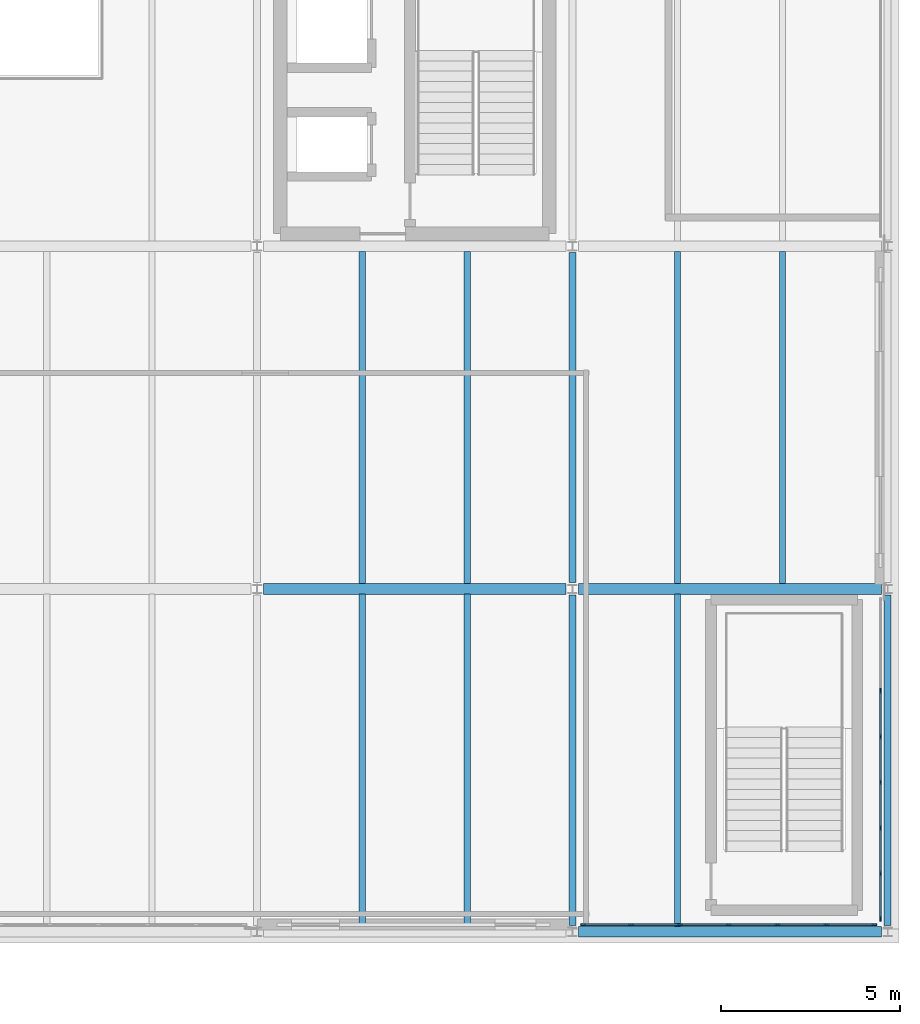
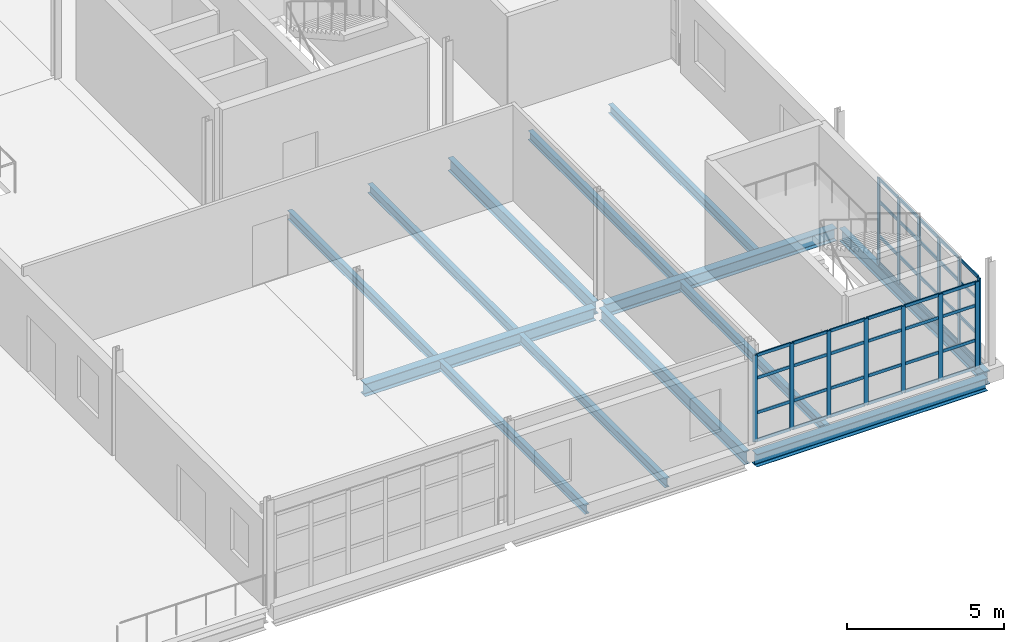
# One storey, part 31 of 58: 57 members, 13 beams, 2 elements without a shape of their own.
"""IFC4 building model written with IfcOpenShell, lengths in metres."""

from ifc_helpers import new_model, si_unit, direction, frame, origin, origin_2d, place, context, subcontext, project, spatial, rectangle, i_section, extrude, material, layer, layer_set, material_profile, profile_set, type_object, element, aggregate, save


model = new_model("IFC4")

# Units and contexts
model_context = context("Model", 3, precision=1e-05, world=origin(), true_north=direction((0.0, 1.0)))
body_context = subcontext(model_context, "Body", "Model", "MODEL_VIEW")
ifc_project = project(units=[si_unit("LENGTHUNIT", "METRE"), si_unit("AREAUNIT", "SQUARE_METRE"), si_unit("VOLUMEUNIT", "CUBIC_METRE"), si_unit("PLANEANGLEUNIT", "RADIAN"), si_unit("MASSUNIT", "GRAM", prefix="KILO")], contexts=[model_context])

# Site, building, storey
site_placement = place(None, origin())
site = spatial("IfcSite", under=ifc_project, at=site_placement, CompositionType="ELEMENT")
building_placement = place(site_placement, origin())
building = spatial("IfcBuilding", under=site, at=building_placement, Name="Yeouljin Market Hall", CompositionType="ELEMENT")
storey_placement = place(building_placement, frame((0.0, 0.0, 10.800048828125)))
storey = spatial("IfcBuildingStorey", under=building, at=storey_placement, Name="L02", CompositionType="ELEMENT", Elevation=10.800048828125)

# Beams
ifc_material_1 = material(Name="Steel SM355", Category="steel")
ifc_material_profile_1 = material_profile(ifc_material_1, i_section(OverallWidth=0.199951171875, OverallDepth=0.5, WebThickness=0.010009765625, FlangeThickness=0.01611328125, FilletRadius=0.02001953125, at=origin_2d()), Name="H-500x200x10x16")
ifc_profile_set_1 = profile_set([ifc_material_profile_1], Name="Steel SM355")
beam_type_1 = type_object("IfcBeamType", Name="Beam_H-500x200x10x16", PredefinedType="BEAM", material=ifc_profile_set_1)
for number, where, z_axis, x_axis, name in (
    (1, (167.570068359375, 0.175048828125, -0.51513671875), (0.0, 1.0, 0.0), (-1.0, 0.0, 0.0), "Primary beam BM-L02-Y147"),
    (2, (167.570068359375, 9.77490234375, -0.51513671875), (0.0, 1.0, 0.0), (-1.0, 0.0, 0.0), "Primary beam BM-L02-Y148"),
    (3, (176.39990234375, 0.175048828125, -0.51513671875), (0.0, 1.0, 0.0), (-1.0, 0.0, 0.0), "Primary beam BM-L02-Y151"),
):
    element("IfcBeam", number, at=place(storey_placement, frame(where, z_axis=z_axis, x_axis=x_axis)), inside=storey, type_object=beam_type_1, Name=name, PredefinedType="BEAM", context=body_context, shape_type="SweptSolid", body=[
        extrude(i_section(OverallWidth=0.199951171875, OverallDepth=0.5, WebThickness=0.010009765625, FlangeThickness=0.01611328125, FilletRadius=0.02001953125, at=origin_2d()), origin(), (0.0, 0.0, 1.0), 9.25),
    ])

# Curtain wall, members
ifc_material_2 = material(Name="Thermally Broken Aluminium", Category="aluminium")
ifc_layer = layer(ifc_material_2, 0.14990234375)
ifc_layer_set = layer_set([ifc_layer], Name="Thermally Broken Aluminium")
curtain_wall_type = type_object("IfcCurtainWallType", Name="CW_AcademyRibbon_System", PredefinedType="USERDEFINED", material=ifc_layer_set)
curtain_wall_1_placement = place(storey_placement, origin())
curtain_wall_1 = element("IfcCurtainWall", 4, at=curtain_wall_1_placement, inside=storey, type_object=curtain_wall_type, Name="Curtain wall CW-L02-W08", ObjectType="CURTAIN WALL", PredefinedType="USERDEFINED")
ifc_material_3 = material(Name="Thermally Broken Aluminium", Category="aluminium")
ifc_material_profile_2 = material_profile(ifc_material_3, rectangle(XDim=0.048095703125, YDim=0.14990234375, at=origin_2d()), Name="CW-MULL-48x150")
ifc_profile_set_2 = profile_set([ifc_material_profile_2], Name="Thermally Broken Aluminium")
member_type_1 = type_object("IfcMemberType", Name="CWMullion_48x150", PredefinedType="MULLION", material=ifc_profile_set_2)
member_1_placement = place(storey_placement, frame((176.02587890625, 0.199951171875, 0.0), z_axis=(0.0, 0.0, 1.0), x_axis=(0.0, -1.0, 0.0)))
member_1 = element("IfcMember", 5, at=member_1_placement, type_object=member_type_1, Name="CW-05 mullion 1", PredefinedType="MULLION", context=body_context, shape_type="SweptSolid", body=[
    extrude(rectangle(XDim=0.048095703125, YDim=0.14990234375, at=origin_2d()), origin(), (0.0, 0.0, 1.0), 3.349853515625),
])
member_2_placement = place(storey_placement, frame((174.683349609375, 0.199951171875, 0.0), z_axis=(0.0, 0.0, 1.0), x_axis=(0.0, -1.0, 0.0)))
member_2 = element("IfcMember", 6, at=member_2_placement, type_object=member_type_1, Name="CW-05 mullion 2", PredefinedType="MULLION", context=body_context, shape_type="SweptSolid", body=[
    extrude(rectangle(XDim=0.048095703125, YDim=0.14990234375, at=origin_2d()), origin(), (0.0, 0.0, 1.0), 3.349853515625),
])
member_3_placement = place(storey_placement, frame((173.316650390625, 0.199951171875, 0.0), z_axis=(0.0, 0.0, 1.0), x_axis=(0.0, -1.0, 0.0)))
member_3 = element("IfcMember", 7, at=member_3_placement, type_object=member_type_1, Name="CW-05 mullion 3", PredefinedType="MULLION", context=body_context, shape_type="SweptSolid", body=[
    extrude(rectangle(XDim=0.048095703125, YDim=0.14990234375, at=origin_2d()), origin(), (0.0, 0.0, 1.0), 3.349853515625),
])
member_4_placement = place(storey_placement, frame((171.949951171875, 0.199951171875, 0.0), z_axis=(0.0, 0.0, 1.0), x_axis=(0.0, -1.0, 0.0)))
member_4 = element("IfcMember", 8, at=member_4_placement, type_object=member_type_1, Name="CW-05 mullion 4", PredefinedType="MULLION", context=body_context, shape_type="SweptSolid", body=[
    extrude(rectangle(XDim=0.048095703125, YDim=0.14990234375, at=origin_2d()), origin(), (0.0, 0.0, 1.0), 3.349853515625),
])
member_5_placement = place(storey_placement, frame((170.583251953125, 0.199951171875, 0.0), z_axis=(0.0, 0.0, 1.0), x_axis=(0.0, -1.0, 0.0)))
member_5 = element("IfcMember", 9, at=member_5_placement, type_object=member_type_1, Name="CW-05 mullion 5", PredefinedType="MULLION", context=body_context, shape_type="SweptSolid", body=[
    extrude(rectangle(XDim=0.048095703125, YDim=0.14990234375, at=origin_2d()), origin(), (0.0, 0.0, 1.0), 3.349853515625),
])
member_6_placement = place(storey_placement, frame((169.216552734375, 0.199951171875, 0.0), z_axis=(0.0, 0.0, 1.0), x_axis=(0.0, -1.0, 0.0)))
member_6 = element("IfcMember", 10, at=member_6_placement, type_object=member_type_1, Name="CW-05 mullion 6", PredefinedType="MULLION", context=body_context, shape_type="SweptSolid", body=[
    extrude(rectangle(XDim=0.048095703125, YDim=0.14990234375, at=origin_2d()), origin(), (0.0, 0.0, 1.0), 3.349853515625),
])
member_7_placement = place(storey_placement, frame((167.8740234375, 0.199951171875, 0.0), z_axis=(0.0, 0.0, 1.0), x_axis=(0.0, -1.0, 0.0)))
member_7 = element("IfcMember", 11, at=member_7_placement, type_object=member_type_1, Name="CW-05 mullion 7", PredefinedType="MULLION", context=body_context, shape_type="SweptSolid", body=[
    extrude(rectangle(XDim=0.048095703125, YDim=0.14990234375, at=origin_2d()), origin(), (0.0, 0.0, 1.0), 3.349853515625),
])

curtain_wall_2_placement = place(storey_placement, origin())
curtain_wall_2 = element("IfcCurtainWall", 12, at=curtain_wall_2_placement, inside=storey, type_object=curtain_wall_type, Name="Curtain wall CW-L02-W14", ObjectType="CURTAIN WALL", PredefinedType="USERDEFINED")
member_8_placement = place(storey_placement, frame((176.199951171875, 6.742919921875, 0.0), z_axis=(0.0, 0.0, 1.0), x_axis=(1.0, 0.0, 0.0)))
member_8 = element("IfcMember", 13, at=member_8_placement, type_object=member_type_1, Name="CW-05 mullion 3", PredefinedType="MULLION", context=body_context, shape_type="SweptSolid", body=[
    extrude(rectangle(XDim=0.048095703125, YDim=0.14990234375, at=origin_2d()), origin(), (0.0, 0.0, 1.0), 3.349853515625),
])
member_9_placement = place(storey_placement, frame((176.199951171875, 5.46435546875, 0.0), z_axis=(0.0, 0.0, 1.0), x_axis=(1.0, 0.0, 0.0)))
member_9 = element("IfcMember", 14, at=member_9_placement, type_object=member_type_1, Name="CW-05 mullion 4", PredefinedType="MULLION", context=body_context, shape_type="SweptSolid", body=[
    extrude(rectangle(XDim=0.048095703125, YDim=0.14990234375, at=origin_2d()), origin(), (0.0, 0.0, 1.0), 3.349853515625),
])
member_10_placement = place(storey_placement, frame((176.199951171875, 4.185791015625, 0.0), z_axis=(0.0, 0.0, 1.0), x_axis=(1.0, 0.0, 0.0)))
member_10 = element("IfcMember", 15, at=member_10_placement, type_object=member_type_1, Name="CW-05 mullion 5", PredefinedType="MULLION", context=body_context, shape_type="SweptSolid", body=[
    extrude(rectangle(XDim=0.048095703125, YDim=0.14990234375, at=origin_2d()), origin(), (0.0, 0.0, 1.0), 3.349853515625),
])
member_11_placement = place(storey_placement, frame((176.199951171875, 2.9072265625, 0.0), z_axis=(0.0, 0.0, 1.0), x_axis=(1.0, 0.0, 0.0)))
member_11 = element("IfcMember", 16, at=member_11_placement, type_object=member_type_1, Name="CW-05 mullion 6", PredefinedType="MULLION", context=body_context, shape_type="SweptSolid", body=[
    extrude(rectangle(XDim=0.048095703125, YDim=0.14990234375, at=origin_2d()), origin(), (0.0, 0.0, 1.0), 3.349853515625),
])
member_12_placement = place(storey_placement, frame((176.199951171875, 1.628662109375, 0.0), z_axis=(0.0, 0.0, 1.0), x_axis=(1.0, 0.0, 0.0)))
member_12 = element("IfcMember", 17, at=member_12_placement, type_object=member_type_1, Name="CW-05 mullion 7", PredefinedType="MULLION", context=body_context, shape_type="SweptSolid", body=[
    extrude(rectangle(XDim=0.048095703125, YDim=0.14990234375, at=origin_2d()), origin(), (0.0, 0.0, 1.0), 3.349853515625),
])
member_13_placement = place(storey_placement, frame((176.199951171875, 0.3740234375, 0.0), z_axis=(0.0, 0.0, 1.0), x_axis=(1.0, 0.0, 0.0)))
member_13 = element("IfcMember", 18, at=member_13_placement, type_object=member_type_1, Name="CW-05 mullion 8", PredefinedType="MULLION", context=body_context, shape_type="SweptSolid", body=[
    extrude(rectangle(XDim=0.048095703125, YDim=0.14990234375, at=origin_2d()), origin(), (0.0, 0.0, 1.0), 3.349853515625),
])

# Member
ifc_material_4 = material(Name="Thermally Broken Aluminium", Category="aluminium")
ifc_material_profile_3 = material_profile(ifc_material_4, rectangle(XDim=0.048095703125, YDim=0.1201171875, at=origin_2d()), Name="CW-TRAN-48x120")
ifc_profile_set_3 = profile_set([ifc_material_profile_3], Name="Thermally Broken Aluminium")
member_type_2 = type_object("IfcMemberType", Name="CWTransom_48x120", PredefinedType="USERDEFINED", material=ifc_profile_set_3)
member_14_placement = place(storey_placement, frame((176.001953125, 0.199951171875, 0.02392578125), z_axis=(-1.0, 0.0, 0.0), x_axis=(0.0, -1.0, 0.0)))
member_14 = element("IfcMember", 19, at=member_14_placement, type_object=member_type_2, Name="CW-05 transom 1.1", ObjectType="TRANSOM", PredefinedType="USERDEFINED", context=body_context, shape_type="SweptSolid", body=[
    extrude(rectangle(XDim=0.048095703125, YDim=0.1201171875, at=origin_2d()), origin(), (0.0, 0.0, 1.0), 1.294677734375),
])

member_15_placement = place(storey_placement, frame((176.001953125, 0.199951171875, 1.099853515625), z_axis=(-1.0, 0.0, 0.0), x_axis=(0.0, -1.0, 0.0)))
member_15 = element("IfcMember", 20, at=member_15_placement, type_object=member_type_2, Name="CW-05 transom 1.2", ObjectType="TRANSOM", PredefinedType="USERDEFINED", context=body_context, shape_type="SweptSolid", body=[
    extrude(rectangle(XDim=0.048095703125, YDim=0.1201171875, at=origin_2d()), origin(), (0.0, 0.0, 1.0), 1.294677734375),
])

member_16_placement = place(storey_placement, frame((176.001953125, 0.199951171875, 2.449951171875), z_axis=(-1.0, 0.0, 0.0), x_axis=(0.0, -1.0, 0.0)))
member_16 = element("IfcMember", 21, at=member_16_placement, type_object=member_type_2, Name="CW-05 transom 1.3", ObjectType="TRANSOM", PredefinedType="USERDEFINED", context=body_context, shape_type="SweptSolid", body=[
    extrude(rectangle(XDim=0.048095703125, YDim=0.1201171875, at=origin_2d()), origin(), (0.0, 0.0, 1.0), 1.294677734375),
])

member_17_placement = place(storey_placement, frame((176.001953125, 0.199951171875, 3.325927734375), z_axis=(-1.0, 0.0, 0.0), x_axis=(0.0, -1.0, 0.0)))
member_17 = element("IfcMember", 22, at=member_17_placement, type_object=member_type_2, Name="CW-05 transom 1.4", ObjectType="TRANSOM", PredefinedType="USERDEFINED", context=body_context, shape_type="SweptSolid", body=[
    extrude(rectangle(XDim=0.048095703125, YDim=0.1201171875, at=origin_2d()), origin(), (0.0, 0.0, 1.0), 1.294677734375),
])

member_18_placement = place(storey_placement, frame((174.659423828125, 0.199951171875, 0.02392578125), z_axis=(-1.0, 0.0, 0.0), x_axis=(0.0, -1.0, 0.0)))
member_18 = element("IfcMember", 23, at=member_18_placement, type_object=member_type_2, Name="CW-05 transom 2.1", ObjectType="TRANSOM", PredefinedType="USERDEFINED", context=body_context, shape_type="SweptSolid", body=[
    extrude(rectangle(XDim=0.048095703125, YDim=0.1201171875, at=origin_2d()), origin(), (0.0, 0.0, 1.0), 1.31884765625),
])

member_19_placement = place(storey_placement, frame((174.659423828125, 0.199951171875, 1.099853515625), z_axis=(-1.0, 0.0, 0.0), x_axis=(0.0, -1.0, 0.0)))
member_19 = element("IfcMember", 24, at=member_19_placement, type_object=member_type_2, Name="CW-05 transom 2.2", ObjectType="TRANSOM", PredefinedType="USERDEFINED", context=body_context, shape_type="SweptSolid", body=[
    extrude(rectangle(XDim=0.048095703125, YDim=0.1201171875, at=origin_2d()), origin(), (0.0, 0.0, 1.0), 1.31884765625),
])

member_20_placement = place(storey_placement, frame((174.659423828125, 0.199951171875, 2.449951171875), z_axis=(-1.0, 0.0, 0.0), x_axis=(0.0, -1.0, 0.0)))
member_20 = element("IfcMember", 25, at=member_20_placement, type_object=member_type_2, Name="CW-05 transom 2.3", ObjectType="TRANSOM", PredefinedType="USERDEFINED", context=body_context, shape_type="SweptSolid", body=[
    extrude(rectangle(XDim=0.048095703125, YDim=0.1201171875, at=origin_2d()), origin(), (0.0, 0.0, 1.0), 1.31884765625),
])

member_21_placement = place(storey_placement, frame((174.659423828125, 0.199951171875, 3.325927734375), z_axis=(-1.0, 0.0, 0.0), x_axis=(0.0, -1.0, 0.0)))
member_21 = element("IfcMember", 26, at=member_21_placement, type_object=member_type_2, Name="CW-05 transom 2.4", ObjectType="TRANSOM", PredefinedType="USERDEFINED", context=body_context, shape_type="SweptSolid", body=[
    extrude(rectangle(XDim=0.048095703125, YDim=0.1201171875, at=origin_2d()), origin(), (0.0, 0.0, 1.0), 1.31884765625),
])

member_22_placement = place(storey_placement, frame((173.292724609375, 0.199951171875, 0.02392578125), z_axis=(-1.0, 0.0, 0.0), x_axis=(0.0, -1.0, 0.0)))
member_22 = element("IfcMember", 27, at=member_22_placement, type_object=member_type_2, Name="CW-05 transom 3.1", ObjectType="TRANSOM", PredefinedType="USERDEFINED", context=body_context, shape_type="SweptSolid", body=[
    extrude(rectangle(XDim=0.048095703125, YDim=0.1201171875, at=origin_2d()), origin(), (0.0, 0.0, 1.0), 1.318603515625),
])

member_23_placement = place(storey_placement, frame((173.292724609375, 0.199951171875, 1.099853515625), z_axis=(-1.0, 0.0, 0.0), x_axis=(0.0, -1.0, 0.0)))
member_23 = element("IfcMember", 28, at=member_23_placement, type_object=member_type_2, Name="CW-05 transom 3.2", ObjectType="TRANSOM", PredefinedType="USERDEFINED", context=body_context, shape_type="SweptSolid", body=[
    extrude(rectangle(XDim=0.048095703125, YDim=0.1201171875, at=origin_2d()), origin(), (0.0, 0.0, 1.0), 1.318603515625),
])

member_24_placement = place(storey_placement, frame((173.292724609375, 0.199951171875, 2.449951171875), z_axis=(-1.0, 0.0, 0.0), x_axis=(0.0, -1.0, 0.0)))
member_24 = element("IfcMember", 29, at=member_24_placement, type_object=member_type_2, Name="CW-05 transom 3.3", ObjectType="TRANSOM", PredefinedType="USERDEFINED", context=body_context, shape_type="SweptSolid", body=[
    extrude(rectangle(XDim=0.048095703125, YDim=0.1201171875, at=origin_2d()), origin(), (0.0, 0.0, 1.0), 1.318603515625),
])

member_25_placement = place(storey_placement, frame((173.292724609375, 0.199951171875, 3.325927734375), z_axis=(-1.0, 0.0, 0.0), x_axis=(0.0, -1.0, 0.0)))
member_25 = element("IfcMember", 30, at=member_25_placement, type_object=member_type_2, Name="CW-05 transom 3.4", ObjectType="TRANSOM", PredefinedType="USERDEFINED", context=body_context, shape_type="SweptSolid", body=[
    extrude(rectangle(XDim=0.048095703125, YDim=0.1201171875, at=origin_2d()), origin(), (0.0, 0.0, 1.0), 1.318603515625),
])

member_26_placement = place(storey_placement, frame((171.926025390625, 0.199951171875, 0.02392578125), z_axis=(-1.0, 0.0, 0.0), x_axis=(0.0, -1.0, 0.0)))
member_26 = element("IfcMember", 31, at=member_26_placement, type_object=member_type_2, Name="CW-05 transom 4.1", ObjectType="TRANSOM", PredefinedType="USERDEFINED", context=body_context, shape_type="SweptSolid", body=[
    extrude(rectangle(XDim=0.048095703125, YDim=0.1201171875, at=origin_2d()), origin(), (0.0, 0.0, 1.0), 1.318603515625),
])

member_27_placement = place(storey_placement, frame((171.926025390625, 0.199951171875, 1.099853515625), z_axis=(-1.0, 0.0, 0.0), x_axis=(0.0, -1.0, 0.0)))
member_27 = element("IfcMember", 32, at=member_27_placement, type_object=member_type_2, Name="CW-05 transom 4.2", ObjectType="TRANSOM", PredefinedType="USERDEFINED", context=body_context, shape_type="SweptSolid", body=[
    extrude(rectangle(XDim=0.048095703125, YDim=0.1201171875, at=origin_2d()), origin(), (0.0, 0.0, 1.0), 1.318603515625),
])

member_28_placement = place(storey_placement, frame((171.926025390625, 0.199951171875, 2.449951171875), z_axis=(-1.0, 0.0, 0.0), x_axis=(0.0, -1.0, 0.0)))
member_28 = element("IfcMember", 33, at=member_28_placement, type_object=member_type_2, Name="CW-05 transom 4.3", ObjectType="TRANSOM", PredefinedType="USERDEFINED", context=body_context, shape_type="SweptSolid", body=[
    extrude(rectangle(XDim=0.048095703125, YDim=0.1201171875, at=origin_2d()), origin(), (0.0, 0.0, 1.0), 1.318603515625),
])

member_29_placement = place(storey_placement, frame((171.926025390625, 0.199951171875, 3.325927734375), z_axis=(-1.0, 0.0, 0.0), x_axis=(0.0, -1.0, 0.0)))
member_29 = element("IfcMember", 34, at=member_29_placement, type_object=member_type_2, Name="CW-05 transom 4.4", ObjectType="TRANSOM", PredefinedType="USERDEFINED", context=body_context, shape_type="SweptSolid", body=[
    extrude(rectangle(XDim=0.048095703125, YDim=0.1201171875, at=origin_2d()), origin(), (0.0, 0.0, 1.0), 1.318603515625),
])

member_30_placement = place(storey_placement, frame((170.559326171875, 0.199951171875, 0.02392578125), z_axis=(-1.0, 0.0, 0.0), x_axis=(0.0, -1.0, 0.0)))
member_30 = element("IfcMember", 35, at=member_30_placement, type_object=member_type_2, Name="CW-05 transom 5.1", ObjectType="TRANSOM", PredefinedType="USERDEFINED", context=body_context, shape_type="SweptSolid", body=[
    extrude(rectangle(XDim=0.048095703125, YDim=0.1201171875, at=origin_2d()), origin(), (0.0, 0.0, 1.0), 1.318603515625),
])

member_31_placement = place(storey_placement, frame((170.559326171875, 0.199951171875, 1.099853515625), z_axis=(-1.0, 0.0, 0.0), x_axis=(0.0, -1.0, 0.0)))
member_31 = element("IfcMember", 36, at=member_31_placement, type_object=member_type_2, Name="CW-05 transom 5.2", ObjectType="TRANSOM", PredefinedType="USERDEFINED", context=body_context, shape_type="SweptSolid", body=[
    extrude(rectangle(XDim=0.048095703125, YDim=0.1201171875, at=origin_2d()), origin(), (0.0, 0.0, 1.0), 1.318603515625),
])

member_32_placement = place(storey_placement, frame((170.559326171875, 0.199951171875, 2.449951171875), z_axis=(-1.0, 0.0, 0.0), x_axis=(0.0, -1.0, 0.0)))
member_32 = element("IfcMember", 37, at=member_32_placement, type_object=member_type_2, Name="CW-05 transom 5.3", ObjectType="TRANSOM", PredefinedType="USERDEFINED", context=body_context, shape_type="SweptSolid", body=[
    extrude(rectangle(XDim=0.048095703125, YDim=0.1201171875, at=origin_2d()), origin(), (0.0, 0.0, 1.0), 1.318603515625),
])

member_33_placement = place(storey_placement, frame((170.559326171875, 0.199951171875, 3.325927734375), z_axis=(-1.0, 0.0, 0.0), x_axis=(0.0, -1.0, 0.0)))
member_33 = element("IfcMember", 38, at=member_33_placement, type_object=member_type_2, Name="CW-05 transom 5.4", ObjectType="TRANSOM", PredefinedType="USERDEFINED", context=body_context, shape_type="SweptSolid", body=[
    extrude(rectangle(XDim=0.048095703125, YDim=0.1201171875, at=origin_2d()), origin(), (0.0, 0.0, 1.0), 1.318603515625),
])

member_34_placement = place(storey_placement, frame((169.192626953125, 0.199951171875, 0.02392578125), z_axis=(-1.0, 0.0, 0.0), x_axis=(0.0, -1.0, 0.0)))
member_34 = element("IfcMember", 39, at=member_34_placement, type_object=member_type_2, Name="CW-05 transom 6.1", ObjectType="TRANSOM", PredefinedType="USERDEFINED", context=body_context, shape_type="SweptSolid", body=[
    extrude(rectangle(XDim=0.048095703125, YDim=0.1201171875, at=origin_2d()), origin(), (0.0, 0.0, 1.0), 1.294677734375),
])

member_35_placement = place(storey_placement, frame((169.192626953125, 0.199951171875, 1.099853515625), z_axis=(-1.0, 0.0, 0.0), x_axis=(0.0, -1.0, 0.0)))
member_35 = element("IfcMember", 40, at=member_35_placement, type_object=member_type_2, Name="CW-05 transom 6.2", ObjectType="TRANSOM", PredefinedType="USERDEFINED", context=body_context, shape_type="SweptSolid", body=[
    extrude(rectangle(XDim=0.048095703125, YDim=0.1201171875, at=origin_2d()), origin(), (0.0, 0.0, 1.0), 1.294677734375),
])

member_36_placement = place(storey_placement, frame((169.192626953125, 0.199951171875, 2.449951171875), z_axis=(-1.0, 0.0, 0.0), x_axis=(0.0, -1.0, 0.0)))
member_36 = element("IfcMember", 41, at=member_36_placement, type_object=member_type_2, Name="CW-05 transom 6.3", ObjectType="TRANSOM", PredefinedType="USERDEFINED", context=body_context, shape_type="SweptSolid", body=[
    extrude(rectangle(XDim=0.048095703125, YDim=0.1201171875, at=origin_2d()), origin(), (0.0, 0.0, 1.0), 1.294677734375),
])

member_37_placement = place(storey_placement, frame((169.192626953125, 0.199951171875, 3.325927734375), z_axis=(-1.0, 0.0, 0.0), x_axis=(0.0, -1.0, 0.0)))
member_37 = element("IfcMember", 42, at=member_37_placement, type_object=member_type_2, Name="CW-05 transom 6.4", ObjectType="TRANSOM", PredefinedType="USERDEFINED", context=body_context, shape_type="SweptSolid", body=[
    extrude(rectangle(XDim=0.048095703125, YDim=0.1201171875, at=origin_2d()), origin(), (0.0, 0.0, 1.0), 1.294677734375),
])

aggregate(curtain_wall_1, [member_1, member_2, member_3, member_4, member_5, member_6, member_7, member_14, member_15, member_16, member_17, member_18, member_19, member_20, member_21, member_22, member_23, member_24, member_25, member_26, member_27, member_28, member_29, member_30, member_31, member_32, member_33, member_34, member_35, member_36, member_37])

member_38_placement = place(storey_placement, frame((176.199951171875, 6.71875, 0.02392578125), z_axis=(0.0, -1.0, 0.0), x_axis=(1.0, 0.0, 0.0)))
member_38 = element("IfcMember", 43, at=member_38_placement, type_object=member_type_2, Name="CW-05 transom 3.1", ObjectType="TRANSOM", PredefinedType="USERDEFINED", context=body_context, shape_type="SweptSolid", body=[
    extrude(rectangle(XDim=0.048095703125, YDim=0.1201171875, at=origin_2d()), origin(), (0.0, 0.0, 1.0), 1.23046875),
])

member_39_placement = place(storey_placement, frame((176.199951171875, 6.71875, 1.099853515625), z_axis=(0.0, -1.0, 0.0), x_axis=(1.0, 0.0, 0.0)))
member_39 = element("IfcMember", 44, at=member_39_placement, type_object=member_type_2, Name="CW-05 transom 3.2", ObjectType="TRANSOM", PredefinedType="USERDEFINED", context=body_context, shape_type="SweptSolid", body=[
    extrude(rectangle(XDim=0.048095703125, YDim=0.1201171875, at=origin_2d()), origin(), (0.0, 0.0, 1.0), 1.23046875),
])

member_40_placement = place(storey_placement, frame((176.199951171875, 6.71875, 2.449951171875), z_axis=(0.0, -1.0, 0.0), x_axis=(1.0, 0.0, 0.0)))
member_40 = element("IfcMember", 45, at=member_40_placement, type_object=member_type_2, Name="CW-05 transom 3.3", ObjectType="TRANSOM", PredefinedType="USERDEFINED", context=body_context, shape_type="SweptSolid", body=[
    extrude(rectangle(XDim=0.048095703125, YDim=0.1201171875, at=origin_2d()), origin(), (0.0, 0.0, 1.0), 1.23046875),
])

member_41_placement = place(storey_placement, frame((176.199951171875, 6.71875, 3.325927734375), z_axis=(0.0, -1.0, 0.0), x_axis=(1.0, 0.0, 0.0)))
member_41 = element("IfcMember", 46, at=member_41_placement, type_object=member_type_2, Name="CW-05 transom 3.4", ObjectType="TRANSOM", PredefinedType="USERDEFINED", context=body_context, shape_type="SweptSolid", body=[
    extrude(rectangle(XDim=0.048095703125, YDim=0.1201171875, at=origin_2d()), origin(), (0.0, 0.0, 1.0), 1.23046875),
])

member_42_placement = place(storey_placement, frame((176.199951171875, 5.440185546875, 0.02392578125), z_axis=(0.0, -1.0, 0.0), x_axis=(1.0, 0.0, 0.0)))
member_42 = element("IfcMember", 47, at=member_42_placement, type_object=member_type_2, Name="CW-05 transom 4.1", ObjectType="TRANSOM", PredefinedType="USERDEFINED", context=body_context, shape_type="SweptSolid", body=[
    extrude(rectangle(XDim=0.048095703125, YDim=0.1201171875, at=origin_2d()), origin(), (0.0, 0.0, 1.0), 1.23046875),
])

member_43_placement = place(storey_placement, frame((176.199951171875, 5.440185546875, 1.099853515625), z_axis=(0.0, -1.0, 0.0), x_axis=(1.0, 0.0, 0.0)))
member_43 = element("IfcMember", 48, at=member_43_placement, type_object=member_type_2, Name="CW-05 transom 4.2", ObjectType="TRANSOM", PredefinedType="USERDEFINED", context=body_context, shape_type="SweptSolid", body=[
    extrude(rectangle(XDim=0.048095703125, YDim=0.1201171875, at=origin_2d()), origin(), (0.0, 0.0, 1.0), 1.23046875),
])

member_44_placement = place(storey_placement, frame((176.199951171875, 5.440185546875, 2.449951171875), z_axis=(0.0, -1.0, 0.0), x_axis=(1.0, 0.0, 0.0)))
member_44 = element("IfcMember", 49, at=member_44_placement, type_object=member_type_2, Name="CW-05 transom 4.3", ObjectType="TRANSOM", PredefinedType="USERDEFINED", context=body_context, shape_type="SweptSolid", body=[
    extrude(rectangle(XDim=0.048095703125, YDim=0.1201171875, at=origin_2d()), origin(), (0.0, 0.0, 1.0), 1.23046875),
])

member_45_placement = place(storey_placement, frame((176.199951171875, 5.440185546875, 3.325927734375), z_axis=(0.0, -1.0, 0.0), x_axis=(1.0, 0.0, 0.0)))
member_45 = element("IfcMember", 50, at=member_45_placement, type_object=member_type_2, Name="CW-05 transom 4.4", ObjectType="TRANSOM", PredefinedType="USERDEFINED", context=body_context, shape_type="SweptSolid", body=[
    extrude(rectangle(XDim=0.048095703125, YDim=0.1201171875, at=origin_2d()), origin(), (0.0, 0.0, 1.0), 1.23046875),
])

member_46_placement = place(storey_placement, frame((176.199951171875, 4.16162109375, 0.02392578125), z_axis=(0.0, -1.0, 0.0), x_axis=(1.0, 0.0, 0.0)))
member_46 = element("IfcMember", 51, at=member_46_placement, type_object=member_type_2, Name="CW-05 transom 5.1", ObjectType="TRANSOM", PredefinedType="USERDEFINED", context=body_context, shape_type="SweptSolid", body=[
    extrude(rectangle(XDim=0.048095703125, YDim=0.1201171875, at=origin_2d()), origin(), (0.0, 0.0, 1.0), 1.23046875),
])

member_47_placement = place(storey_placement, frame((176.199951171875, 4.16162109375, 1.099853515625), z_axis=(0.0, -1.0, 0.0), x_axis=(1.0, 0.0, 0.0)))
member_47 = element("IfcMember", 52, at=member_47_placement, type_object=member_type_2, Name="CW-05 transom 5.2", ObjectType="TRANSOM", PredefinedType="USERDEFINED", context=body_context, shape_type="SweptSolid", body=[
    extrude(rectangle(XDim=0.048095703125, YDim=0.1201171875, at=origin_2d()), origin(), (0.0, 0.0, 1.0), 1.23046875),
])

member_48_placement = place(storey_placement, frame((176.199951171875, 4.16162109375, 2.449951171875), z_axis=(0.0, -1.0, 0.0), x_axis=(1.0, 0.0, 0.0)))
member_48 = element("IfcMember", 53, at=member_48_placement, type_object=member_type_2, Name="CW-05 transom 5.3", ObjectType="TRANSOM", PredefinedType="USERDEFINED", context=body_context, shape_type="SweptSolid", body=[
    extrude(rectangle(XDim=0.048095703125, YDim=0.1201171875, at=origin_2d()), origin(), (0.0, 0.0, 1.0), 1.23046875),
])

member_49_placement = place(storey_placement, frame((176.199951171875, 4.16162109375, 3.325927734375), z_axis=(0.0, -1.0, 0.0), x_axis=(1.0, 0.0, 0.0)))
member_49 = element("IfcMember", 54, at=member_49_placement, type_object=member_type_2, Name="CW-05 transom 5.4", ObjectType="TRANSOM", PredefinedType="USERDEFINED", context=body_context, shape_type="SweptSolid", body=[
    extrude(rectangle(XDim=0.048095703125, YDim=0.1201171875, at=origin_2d()), origin(), (0.0, 0.0, 1.0), 1.23046875),
])

member_50_placement = place(storey_placement, frame((176.199951171875, 2.883056640625, 0.02392578125), z_axis=(0.0, -1.0, 0.0), x_axis=(1.0, 0.0, 0.0)))
member_50 = element("IfcMember", 55, at=member_50_placement, type_object=member_type_2, Name="CW-05 transom 6.1", ObjectType="TRANSOM", PredefinedType="USERDEFINED", context=body_context, shape_type="SweptSolid", body=[
    extrude(rectangle(XDim=0.048095703125, YDim=0.1201171875, at=origin_2d()), origin(), (0.0, 0.0, 1.0), 1.23046875),
])

member_51_placement = place(storey_placement, frame((176.199951171875, 2.883056640625, 1.099853515625), z_axis=(0.0, -1.0, 0.0), x_axis=(1.0, 0.0, 0.0)))
member_51 = element("IfcMember", 56, at=member_51_placement, type_object=member_type_2, Name="CW-05 transom 6.2", ObjectType="TRANSOM", PredefinedType="USERDEFINED", context=body_context, shape_type="SweptSolid", body=[
    extrude(rectangle(XDim=0.048095703125, YDim=0.1201171875, at=origin_2d()), origin(), (0.0, 0.0, 1.0), 1.23046875),
])

member_52_placement = place(storey_placement, frame((176.199951171875, 2.883056640625, 2.449951171875), z_axis=(0.0, -1.0, 0.0), x_axis=(1.0, 0.0, 0.0)))
member_52 = element("IfcMember", 57, at=member_52_placement, type_object=member_type_2, Name="CW-05 transom 6.3", ObjectType="TRANSOM", PredefinedType="USERDEFINED", context=body_context, shape_type="SweptSolid", body=[
    extrude(rectangle(XDim=0.048095703125, YDim=0.1201171875, at=origin_2d()), origin(), (0.0, 0.0, 1.0), 1.23046875),
])

member_53_placement = place(storey_placement, frame((176.199951171875, 2.883056640625, 3.325927734375), z_axis=(0.0, -1.0, 0.0), x_axis=(1.0, 0.0, 0.0)))
member_53 = element("IfcMember", 58, at=member_53_placement, type_object=member_type_2, Name="CW-05 transom 6.4", ObjectType="TRANSOM", PredefinedType="USERDEFINED", context=body_context, shape_type="SweptSolid", body=[
    extrude(rectangle(XDim=0.048095703125, YDim=0.1201171875, at=origin_2d()), origin(), (0.0, 0.0, 1.0), 1.23046875),
])

member_54_placement = place(storey_placement, frame((176.199951171875, 1.6044921875, 0.02392578125), z_axis=(0.0, -1.0, 0.0), x_axis=(1.0, 0.0, 0.0)))
member_54 = element("IfcMember", 59, at=member_54_placement, type_object=member_type_2, Name="CW-05 transom 7.1", ObjectType="TRANSOM", PredefinedType="USERDEFINED", context=body_context, shape_type="SweptSolid", body=[
    extrude(rectangle(XDim=0.048095703125, YDim=0.1201171875, at=origin_2d()), origin(), (0.0, 0.0, 1.0), 1.20654296875),
])

member_55_placement = place(storey_placement, frame((176.199951171875, 1.6044921875, 1.099853515625), z_axis=(0.0, -1.0, 0.0), x_axis=(1.0, 0.0, 0.0)))
member_55 = element("IfcMember", 60, at=member_55_placement, type_object=member_type_2, Name="CW-05 transom 7.2", ObjectType="TRANSOM", PredefinedType="USERDEFINED", context=body_context, shape_type="SweptSolid", body=[
    extrude(rectangle(XDim=0.048095703125, YDim=0.1201171875, at=origin_2d()), origin(), (0.0, 0.0, 1.0), 1.20654296875),
])

member_56_placement = place(storey_placement, frame((176.199951171875, 1.6044921875, 2.449951171875), z_axis=(0.0, -1.0, 0.0), x_axis=(1.0, 0.0, 0.0)))
member_56 = element("IfcMember", 61, at=member_56_placement, type_object=member_type_2, Name="CW-05 transom 7.3", ObjectType="TRANSOM", PredefinedType="USERDEFINED", context=body_context, shape_type="SweptSolid", body=[
    extrude(rectangle(XDim=0.048095703125, YDim=0.1201171875, at=origin_2d()), origin(), (0.0, 0.0, 1.0), 1.20654296875),
])

member_57_placement = place(storey_placement, frame((176.199951171875, 1.6044921875, 3.325927734375), z_axis=(0.0, -1.0, 0.0), x_axis=(1.0, 0.0, 0.0)))
member_57 = element("IfcMember", 62, at=member_57_placement, type_object=member_type_2, Name="CW-05 transom 7.4", ObjectType="TRANSOM", PredefinedType="USERDEFINED", context=body_context, shape_type="SweptSolid", body=[
    extrude(rectangle(XDim=0.048095703125, YDim=0.1201171875, at=origin_2d()), origin(), (0.0, 0.0, 1.0), 1.20654296875),
])

aggregate(curtain_wall_2, [member_8, member_9, member_10, member_11, member_12, member_13, member_38, member_39, member_40, member_41, member_42, member_43, member_44, member_45, member_46, member_47, member_48, member_49, member_50, member_51, member_52, member_53, member_54, member_55, member_56, member_57])

# Beams
ifc_material_5 = material(Name="Steel SM355", Category="steel")
ifc_material_profile_4 = material_profile(ifc_material_5, i_section(OverallWidth=0.300048828125, OverallDepth=0.488037109375, WebThickness=0.010986328125, FlangeThickness=0.01806640625, FilletRadius=0.02197265625, at=origin_2d()), Name="H-488x300x11x18")
ifc_profile_set_4 = profile_set([ifc_material_profile_4], Name="Steel SM355")
beam_type_2 = type_object("IfcBeamType", Name="Girder_H-488x300x11x18", PredefinedType="USERDEFINED", material=ifc_profile_set_4)
for number, where, z_axis, x_axis, name in (
    (63, (167.7451171875, 0.0, -0.509033203125), (1.0, 0.0, 0.0), (0.0, 1.0, 0.0), "Primary girder GRD-L02-X008"),
    (64, (158.9150390625, 9.60009765625, -0.509033203125), (1.0, 0.0, 0.0), (0.0, 1.0, 0.0), "Primary girder GRD-L02-X015"),
    (65, (167.7451171875, 9.60009765625, -0.509033203125), (1.0, 0.0, 0.0), (0.0, 1.0, 0.0), "Primary girder GRD-L02-X016"),
):
    element("IfcBeam", number, at=place(storey_placement, frame(where, z_axis=z_axis, x_axis=x_axis)), inside=storey, type_object=beam_type_2, Name=name, ObjectType="GIRDER", PredefinedType="USERDEFINED", context=body_context, shape_type="SweptSolid", body=[
        extrude(i_section(OverallWidth=0.300048828125, OverallDepth=0.488037109375, WebThickness=0.010986328125, FlangeThickness=0.01806640625, FilletRadius=0.02197265625, at=origin_2d()), origin(), (0.0, 0.0, 1.0), 8.47998046875),
    ])
ifc_material_6 = material(Name="Steel SM355", Category="steel")
ifc_material_profile_5 = material_profile(ifc_material_6, i_section(OverallWidth=0.175048828125, OverallDepth=0.35009765625, WebThickness=0.007080078125, FlangeThickness=0.010986328125, FilletRadius=0.013916015625, at=origin_2d()), Name="H-350x175x7x11")
ifc_profile_set_5 = profile_set([ifc_material_profile_5], Name="Steel SM355")
beam_type_3 = type_object("IfcBeamType", Name="Joist_H-350x175x7x11", PredefinedType="JOIST", material=ifc_profile_set_5)
for number, where, z_axis, x_axis, name in (
    (66, (161.683349609375, 0.14697265625, -0.43994140625), (0.0, 1.0, 0.0), (-1.0, 0.0, 0.0), "Secondary floor joist L02-074"),
    (67, (164.626708984375, 0.14697265625, -0.43994140625), (0.0, 1.0, 0.0), (-1.0, 0.0, 0.0), "Secondary floor joist L02-075"),
    (68, (161.683349609375, 9.7470703125, -0.43994140625), (0.0, 1.0, 0.0), (-1.0, 0.0, 0.0), "Secondary floor joist L02-076"),
    (69, (164.626708984375, 9.7470703125, -0.43994140625), (0.0, 1.0, 0.0), (-1.0, 0.0, 0.0), "Secondary floor joist L02-077"),
    (70, (170.51318359375, 0.14697265625, -0.43994140625), (0.0, 1.0, 0.0), (-1.0, 0.0, 0.0), "Secondary floor joist L02-080"),
    (71, (170.51318359375, 9.7470703125, -0.43994140625), (0.0, 1.0, 0.0), (-1.0, 0.0, 0.0), "Secondary floor joist L02-081"),
    (72, (173.456787109375, 9.7470703125, -0.43994140625), (0.0, 1.0, 0.0), (-1.0, 0.0, 0.0), "Secondary floor joist L02-082"),
):
    element("IfcBeam", number, at=place(storey_placement, frame(where, z_axis=z_axis, x_axis=x_axis)), inside=storey, type_object=beam_type_3, Name=name, PredefinedType="JOIST", context=body_context, shape_type="SweptSolid", body=[
        extrude(i_section(OverallWidth=0.175048828125, OverallDepth=0.35009765625, WebThickness=0.007080078125, FlangeThickness=0.010986328125, FilletRadius=0.013916015625, at=origin_2d()), origin(), (0.0, 0.0, 1.0), 9.305908203125),
    ])

save(model, "model.ifc")
